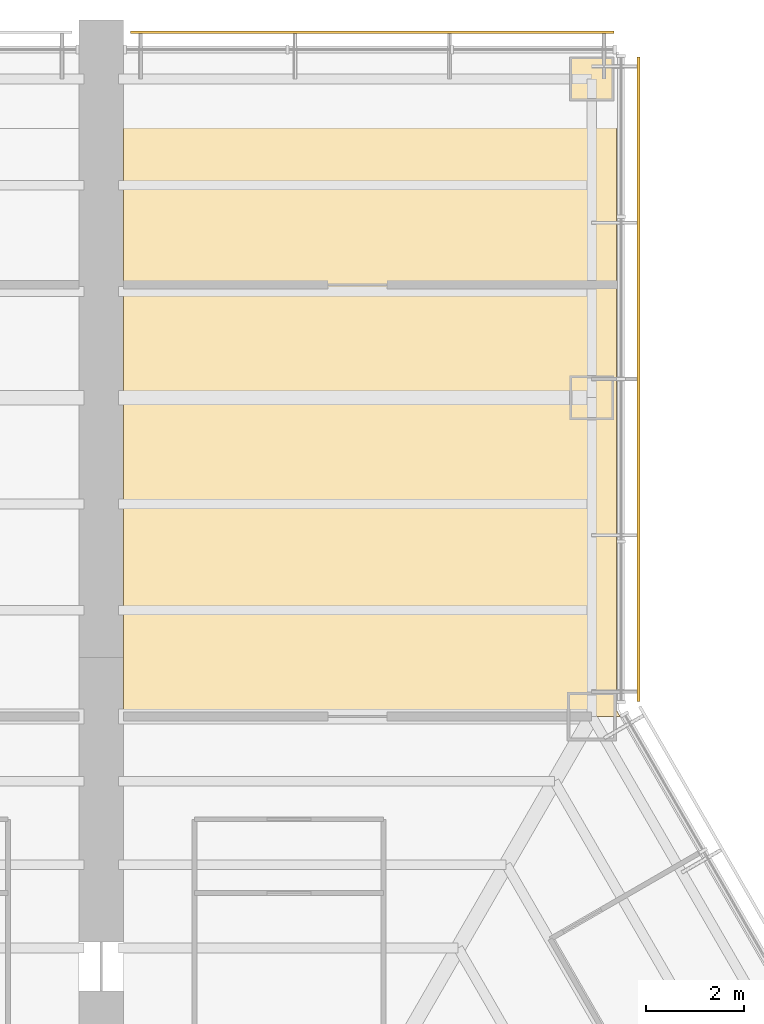
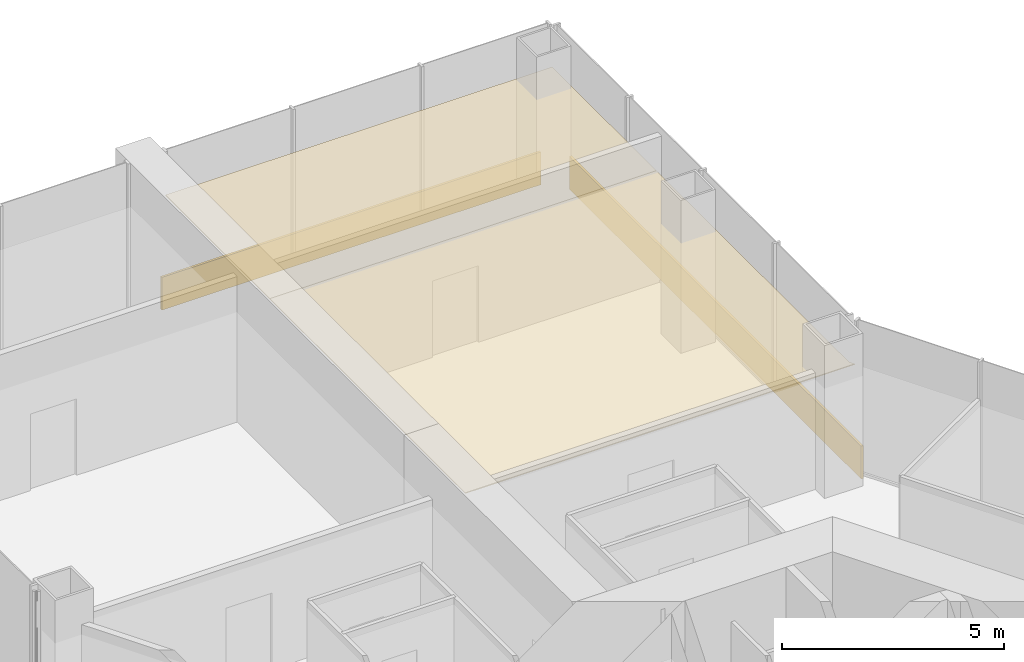
# One storey, part 16 of 16: 2 coverings, 2 shading devices.
"""IFC4 building model written with IfcOpenShell, lengths in metres."""

from ifc_helpers import new_model, si_unit, direction, frame, origin, origin_2d, place, context, subcontext, project, spatial, polyline, rectangle, outline, extrude, material, layer, layer_set, type_object, element, save


model = new_model("IFC4")

# Units and contexts
model_context = context("Model", 3, precision=1e-05, world=origin(), true_north=direction((0.0, 1.0)))
body_context = subcontext(model_context, "Body", "Model", "MODEL_VIEW")
ifc_project = project(units=[si_unit("LENGTHUNIT", "METRE"), si_unit("AREAUNIT", "SQUARE_METRE"), si_unit("VOLUMEUNIT", "CUBIC_METRE"), si_unit("PLANEANGLEUNIT", "RADIAN"), si_unit("MASSUNIT", "GRAM", prefix="KILO")], contexts=[model_context])

# Site, building, storey
site_placement = place(None, origin())
site = spatial("IfcSite", under=ifc_project, at=site_placement, CompositionType="ELEMENT")
building_placement = place(site_placement, origin())
building = spatial("IfcBuilding", under=site, at=building_placement, Name="Kasaneha Research Tower", CompositionType="ELEMENT")
storey_placement = place(building_placement, frame((0.0, 0.0, 14.199951171875)))
storey = spatial("IfcBuildingStorey", under=building, at=storey_placement, Name="L04", CompositionType="ELEMENT", Elevation=14.199951171875)

# Coverings
ifc_material_1 = material(Name="Washable coated ceiling board", Category="gypsum")
ifc_layer_1 = layer(ifc_material_1, 0.02490234375)
ifc_layer_set_1 = layer_set([ifc_layer_1], Name="Laboratory ceiling 25")
covering_type = type_object("IfcCoveringType", Name="Laboratory ceiling 25", PredefinedType="CEILING", material=ifc_layer_set_1)
covering_1_placement = place(storey_placement, frame((0.0, 0.0, 3.0)))
element("IfcCovering", 1, at=covering_1_placement, inside=storey, type_object=covering_type, Name="Ceiling L04-31", PredefinedType="CEILING", context=body_context, shape_type="SweptSolid", body=[
    extrude(outline(polyline([(10.5, 26.12060546875), (10.5, 17.45458984375), (10.577392578125, 17.320556640625), (0.449951171875, 17.320556640625), (0.449951171875, 26.12060546875), (10.5, 26.12060546875)])), origin(), (0.0, 0.0, 1.0), 0.025146484375),
])
covering_2_placement = place(storey_placement, frame((0.0, 0.0, 3.0)))
element("IfcCovering", 2, at=covering_2_placement, inside=storey, type_object=covering_type, Name="Ceiling L04-32", PredefinedType="CEILING", context=body_context, shape_type="SweptSolid", body=[
    extrude(outline(polyline([(10.5, 30.820556640625), (10.5, 26.12060546875), (0.449951171875, 26.12060546875), (0.449951171875, 30.820556640625), (10.5, 30.820556640625)])), origin(), (0.0, 0.0, 1.0), 0.025146484375),
])

# Shading devices
ifc_material_2 = material(Name="Terracotta", Category="masonry")
ifc_layer_2 = layer(ifc_material_2, 0.06005859375)
ifc_layer_set_2 = layer_set([ifc_layer_2], Name="Terracotta baguette screen")
shading_device_type = type_object("IfcShadingDeviceType", Name="Terracotta baguette screen", PredefinedType="USERDEFINED", material=ifc_layer_set_2)
shading_device_1_placement = place(storey_placement, frame((10.949951171875, 24.200927734375, -0.449951171875), z_axis=(0.0, 0.0, 1.0), x_axis=(0.0, 1.0, 0.0)))
element("IfcShadingDevice", 3, at=shading_device_1_placement, inside=storey, type_object=shading_device_type, Name="Baguette screen L04 08", ObjectType="TERRACOTTA BAGUETTE SCREEN", PredefinedType="USERDEFINED", context=body_context, shape_type="SweptSolid", body=[
    extrude(rectangle(XDim=13.13916015625, YDim=0.06005859375, at=origin_2d()), origin(), (0.0, 0.0, 1.0), 0.89990234375),
])
shading_device_2_placement = place(storey_placement, frame((5.52490234375, 31.2705078125, -0.449951171875), z_axis=(0.0, 0.0, 1.0), x_axis=(-1.0, 0.0, 0.0)))
element("IfcShadingDevice", 4, at=shading_device_2_placement, inside=storey, type_object=shading_device_type, Name="Baguette screen L04 09", ObjectType="TERRACOTTA BAGUETTE SCREEN", PredefinedType="USERDEFINED", context=body_context, shape_type="SweptSolid", body=[
    extrude(rectangle(XDim=9.85009765625, YDim=0.06005859375, at=origin_2d()), origin(), (0.0, 0.0, 1.0), 0.89990234375),
])

save(model, "model.ifc")
